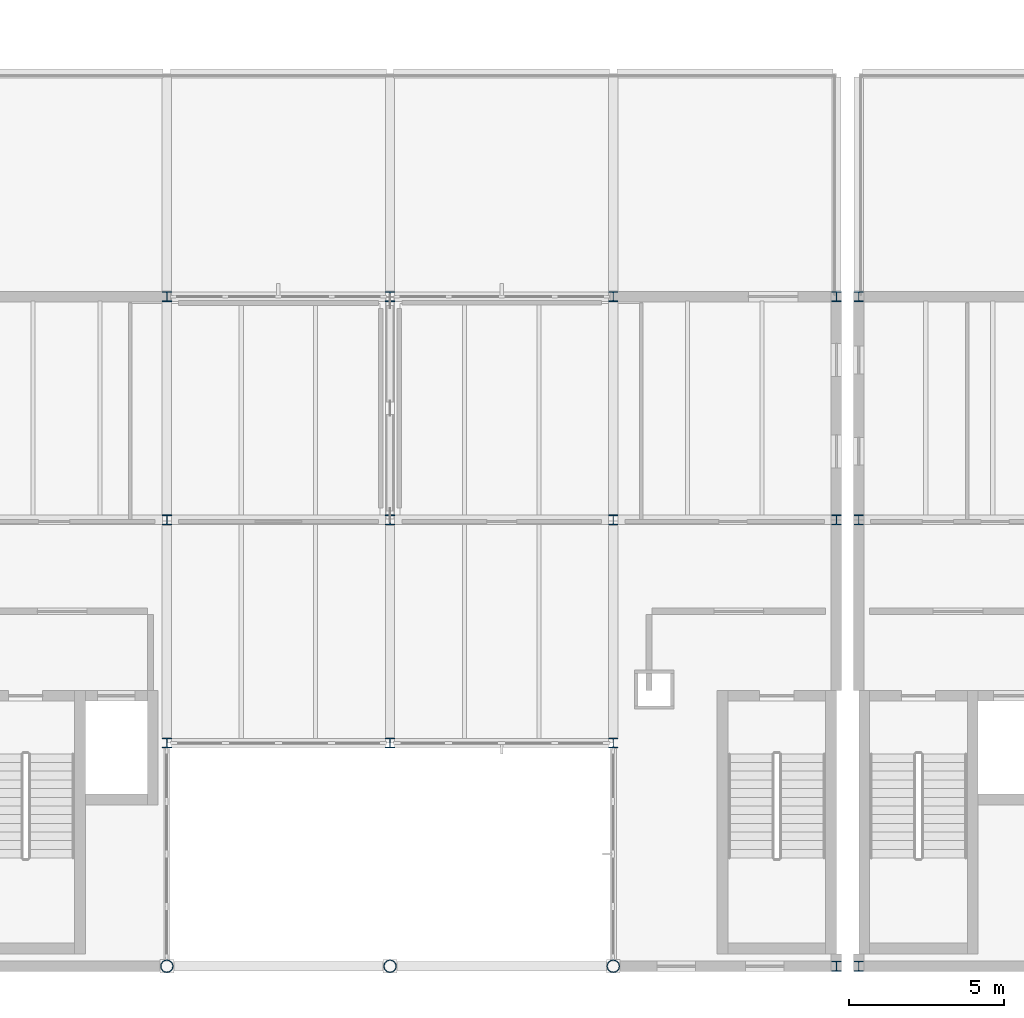
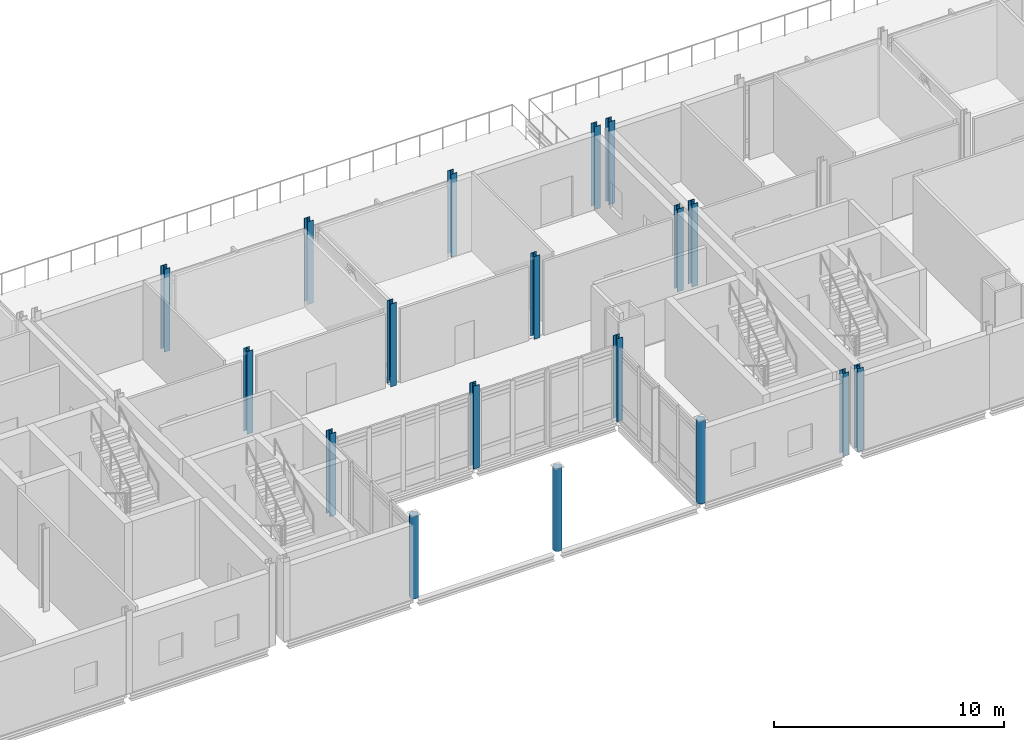
# One storey, part 2 of 53: 18 columns.
"""IFC4 building model written with IfcOpenShell, lengths in metres."""

from ifc_helpers import new_model, si_unit, direction, frame, origin, origin_2d, place, context, subcontext, project, spatial, hollow_circle, i_section, extrude, material, material_profile, profile_set, type_object, element, save


model = new_model("IFC4")

# Units and contexts
model_context = context("Model", 3, precision=1e-05, world=origin(), true_north=direction((0.0, 1.0)))
body_context = subcontext(model_context, "Body", "Model", "MODEL_VIEW")
ifc_project = project(units=[si_unit("LENGTHUNIT", "METRE"), si_unit("AREAUNIT", "SQUARE_METRE"), si_unit("VOLUMEUNIT", "CUBIC_METRE"), si_unit("PLANEANGLEUNIT", "RADIAN"), si_unit("MASSUNIT", "GRAM", prefix="KILO")], contexts=[model_context])

# Site, building, storey
site_placement = place(None, origin())
site = spatial("IfcSite", under=ifc_project, at=site_placement, CompositionType="ELEMENT")
building_placement = place(site_placement, origin())
building = spatial("IfcBuilding", under=site, at=building_placement, Name="Zarrinpeak Specialist Clinic", CompositionType="ELEMENT")
storey_placement = place(building_placement, frame((0.0, 0.0, 14.0)))
storey = spatial("IfcBuildingStorey", under=building, at=storey_placement, Name="L03", CompositionType="ELEMENT", Elevation=14.0)

# Columns
ifc_material = material(Name="Steel S355", Category="steel")
ifc_material_profile_1 = material_profile(ifc_material, hollow_circle(Radius=0.203125, WallThickness=0.01611328125, at=origin_2d()), Name="CHS 406.4x16.0")
ifc_profile_set_1 = profile_set([ifc_material_profile_1], Name="Steel S355")
column_type_1 = type_object("IfcColumnType", Name="COL-CHS406", PredefinedType="COLUMN", material=ifc_profile_set_1)
for number, where, z_axis, x_axis, name in (
    (1, (36.0, 0.0, 0.0), (0.0, 0.0, 1.0), (1.0, 0.0, 0.0), "L03 Structural Column COL-L03-063"),
    (2, (43.199951171875, 0.0, 0.0), (0.0, 0.0, 1.0), (1.0, 0.0, 0.0), "L03 Structural Column COL-L03-071"),
    (3, (50.39990234375, 0.0, 0.0), (0.0, 0.0, 1.0), (1.0, 0.0, 0.0), "L03 Structural Column COL-L03-080"),
):
    element("IfcColumn", number, at=place(storey_placement, frame(where, z_axis=z_axis, x_axis=x_axis)), inside=storey, type_object=column_type_1, Name=name, PredefinedType="COLUMN", context=body_context, shape_type="SweptSolid", body=[
        extrude(hollow_circle(Radius=0.203125, WallThickness=0.01611328125, at=origin_2d()), origin(), (0.0, 0.0, 1.0), 4.39990234375),
    ])
ifc_material_profile_2 = material_profile(ifc_material, i_section(OverallWidth=0.300048828125, OverallDepth=0.320068359375, WebThickness=0.011474609375, FlangeThickness=0.0205078125, FilletRadius=0.027099609375, at=origin_2d()), Name="HEB 320")
ifc_profile_set_2 = profile_set([ifc_material_profile_2], Name="Steel S355")
column_type_2 = type_object("IfcColumnType", Name="COL-HEB320", PredefinedType="COLUMN", material=ifc_profile_set_2)
for number, where, z_axis, x_axis, name in (
    (4, (36.0, 7.199951171875, 0.0), (0.0, 0.0, 1.0), (1.0, 0.0, 0.0), "L03 Structural Column COL-L03-064"),
    (5, (36.0, 14.39990234375, 0.0), (0.0, 0.0, 1.0), (1.0, 0.0, 0.0), "L03 Structural Column COL-L03-065"),
    (6, (36.0, 21.60009765625, 0.0), (0.0, 0.0, 1.0), (1.0, 0.0, 0.0), "L03 Structural Column COL-L03-066"),
    (7, (43.199951171875, 7.199951171875, 0.0), (0.0, 0.0, 1.0), (1.0, 0.0, 0.0), "L03 Structural Column COL-L03-072"),
    (8, (43.199951171875, 14.39990234375, 0.0), (0.0, 0.0, 1.0), (1.0, 0.0, 0.0), "L03 Structural Column COL-L03-073"),
    (9, (43.199951171875, 21.60009765625, 0.0), (0.0, 0.0, 1.0), (1.0, 0.0, 0.0), "L03 Structural Column COL-L03-074"),
    (10, (50.39990234375, 7.199951171875, 0.0), (0.0, 0.0, 1.0), (1.0, 0.0, 0.0), "L03 Structural Column COL-L03-081"),
    (11, (50.39990234375, 14.39990234375, 0.0), (0.0, 0.0, 1.0), (1.0, 0.0, 0.0), "L03 Structural Column COL-L03-082"),
    (12, (50.39990234375, 21.60009765625, 0.0), (0.0, 0.0, 1.0), (1.0, 0.0, 0.0), "L03 Structural Column COL-L03-083"),
    (13, (57.60009765625, 0.0, 0.0), (0.0, 0.0, 1.0), (1.0, 0.0, 0.0), "L03 Structural Column COL-L03-089"),
    (14, (57.60009765625, 14.39990234375, 0.0), (0.0, 0.0, 1.0), (1.0, 0.0, 0.0), "L03 Structural Column COL-L03-090"),
    (15, (57.60009765625, 21.60009765625, 0.0), (0.0, 0.0, 1.0), (1.0, 0.0, 0.0), "L03 Structural Column COL-L03-091"),
    (16, (58.320068359375, 0.0, 0.0), (0.0, 0.0, 1.0), (1.0, 0.0, 0.0), "L03 Structural Column COL-L03-097"),
    (17, (58.320068359375, 14.39990234375, 0.0), (0.0, 0.0, 1.0), (1.0, 0.0, 0.0), "L03 Structural Column COL-L03-098"),
    (18, (58.320068359375, 21.60009765625, 0.0), (0.0, 0.0, 1.0), (1.0, 0.0, 0.0), "L03 Structural Column COL-L03-099"),
):
    element("IfcColumn", number, at=place(storey_placement, frame(where, z_axis=z_axis, x_axis=x_axis)), inside=storey, type_object=column_type_2, Name=name, PredefinedType="COLUMN", context=body_context, shape_type="SweptSolid", body=[
        extrude(i_section(OverallWidth=0.300048828125, OverallDepth=0.320068359375, WebThickness=0.011474609375, FlangeThickness=0.0205078125, FilletRadius=0.027099609375, at=origin_2d()), origin(), (0.0, 0.0, 1.0), 4.39990234375),
    ])

save(model, "model.ifc")
